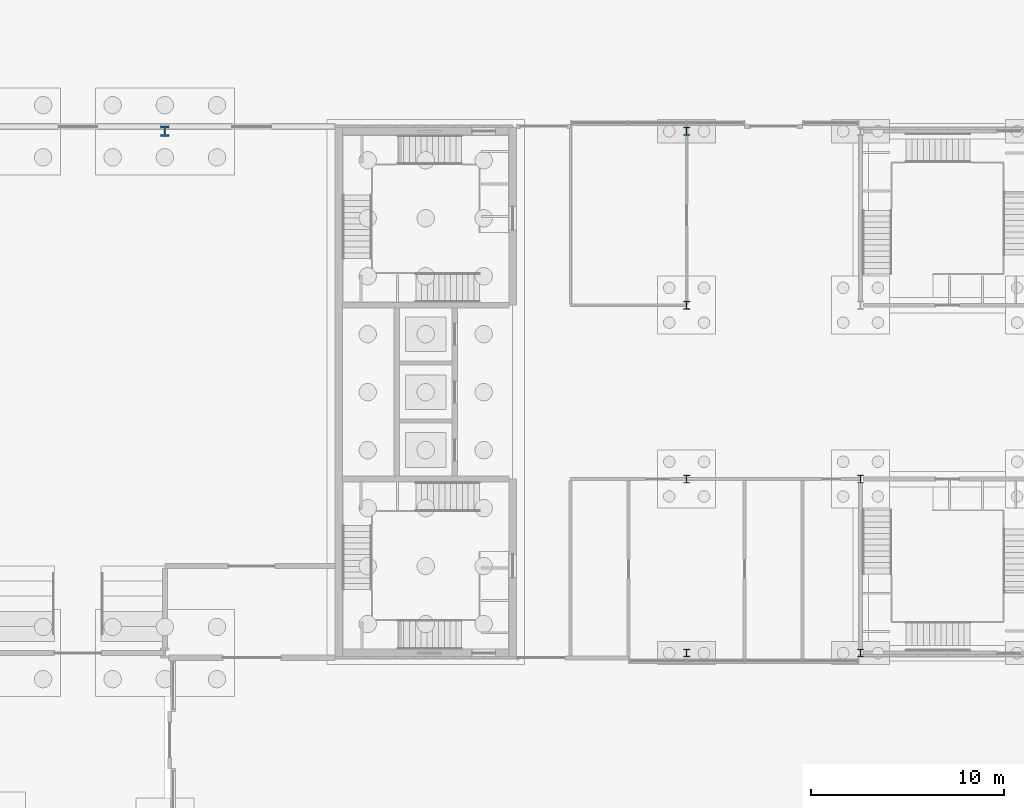
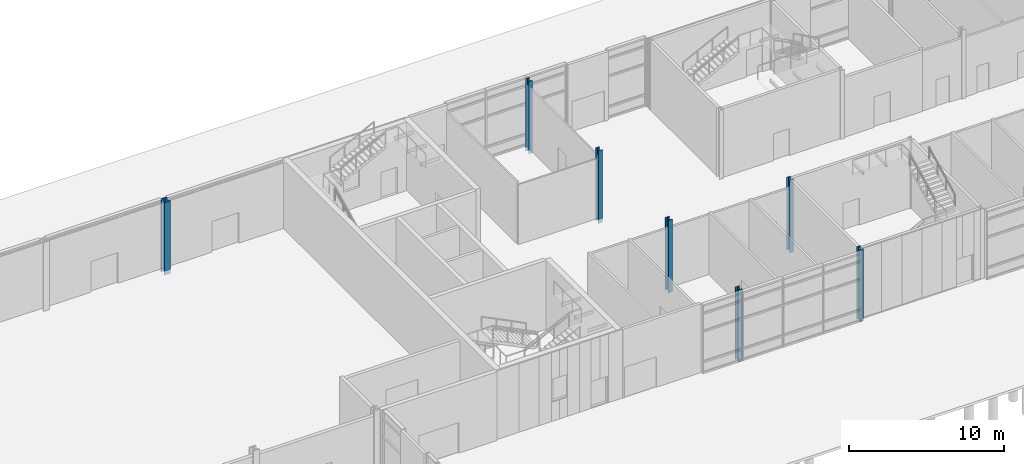
# One storey, part 9 of 45: 7 columns.
"""IFC4 building model written with IfcOpenShell, lengths in metres."""

import ifcopenshell
import ifcopenshell.guid

model = None  # the IFC model being written
_history = None  # IfcOwnerHistory: only IFC2X3 demands one
_inside = {}  # id of a spatial element -> (the spatial element, [elements in it])
_under = {}  # id of a project, library or spatial element -> (it, [spatial elements below it])
_declared = {}  # id of a project -> (the project, [libraries it declares])
_typed = {}  # id of a type object -> (the type object, [elements of that type])
_made_of = {}  # id of a material, layer set ... -> (it, [elements and type objects made of it])


def new_model(schema):
    """Start an empty IFC model of exactly this schema.

    Asked for "IFC4X3", IfcOpenShell would pick the latest addendum, in which some entities
    have other attributes; the version numbers below select the first issue.
    IFC2X3 requires an IfcOwnerHistory on every rooted entity: one is made here for all.
    """
    global model, _history
    if schema == "IFC4X3":
        model = ifcopenshell.file(schema_version=(4, 3, 0, 0))
    else:
        model = ifcopenshell.file(schema=schema)
    _inside.clear()
    _under.clear()
    _declared.clear()
    _typed.clear()
    _made_of.clear()
    _history = None
    if model.schema == "IFC2X3":
        org = make("IfcOrganization", Name="unknown")
        user = make(
            "IfcPersonAndOrganization",
            ThePerson=make("IfcPerson", FamilyName="unknown"),
            TheOrganization=org,
        )
        app = make(
            "IfcApplication",
            ApplicationDeveloper=org,
            Version="unknown",
            ApplicationFullName="unknown",
            ApplicationIdentifier="unknown",
        )
        _history = make(
            "IfcOwnerHistory",
            OwningUser=user,
            OwningApplication=app,
            ChangeAction="ADDED",
            CreationDate=0,
        )
    return model


def make(cls, **values):
    """One entity of the class cls with the attributes given. An attribute that is None is left unset."""
    return model.create_entity(
        cls, **{name: value for name, value in values.items() if value is not None}
    )


def rooted(cls, **values):
    """An entity with a GlobalId (a new one), such as an element, a storey or a relation."""
    return make(cls, GlobalId=ifcopenshell.guid.new(), OwnerHistory=_history, **values)


def si_unit(unit_type, name, prefix=None):
    """IfcSIUnit, for example si_unit("LENGTHUNIT", "METRE", prefix="MILLI")."""
    return make("IfcSIUnit", UnitType=unit_type, Prefix=prefix, Name=name)


def assignment(units):
    """IfcUnitAssignment: the units of a project."""
    return None if units is None else make("IfcUnitAssignment", Units=units)


def point(xyz):
    """IfcCartesianPoint."""
    return None if xyz is None else make("IfcCartesianPoint", Coordinates=xyz)


def direction(xyz):
    """IfcDirection."""
    return None if xyz is None else make("IfcDirection", DirectionRatios=xyz)


def frame(location, z_axis=None, x_axis=None):
    """IfcAxis2Placement3D, a coordinate frame: its origin and axes. An axis left out is left unset."""
    return make(
        "IfcAxis2Placement3D",
        Location=point(location),
        Axis=direction(z_axis),
        RefDirection=direction(x_axis),
    )


def frame_2d(location, x_axis=None):
    """IfcAxis2Placement2D, a coordinate frame in the plane: its origin and x axis."""
    return make(
        "IfcAxis2Placement2D", Location=point(location), RefDirection=direction(x_axis)
    )


def origin():
    """The frame at (0, 0, 0) with its axes left unset."""
    return frame((0.0, 0.0, 0.0))


def origin_2d():
    """The frame at (0, 0) in the plane with its x axis left unset."""
    return frame_2d((0.0, 0.0))


def place(relative_to, where):
    """IfcLocalPlacement: puts the frame where relative to a parent placement (None: the world)."""
    return make(
        "IfcLocalPlacement", PlacementRelTo=relative_to, RelativePlacement=where
    )


def context(
    kind, dimensions, precision=None, world=None, true_north=None, identifier=None
):
    """IfcGeometricRepresentationContext, for example the 3D "Model" context."""
    return make(
        "IfcGeometricRepresentationContext",
        ContextIdentifier=identifier,
        ContextType=kind,
        CoordinateSpaceDimension=dimensions,
        Precision=precision,
        WorldCoordinateSystem=world,
        TrueNorth=true_north,
    )


def subcontext(parent, identifier, kind, view, scale=None):
    """IfcGeometricRepresentationSubContext, for example "Body" below "Model"."""
    return make(
        "IfcGeometricRepresentationSubContext",
        ContextIdentifier=identifier,
        ContextType=kind,
        ParentContext=parent,
        TargetScale=scale,
        TargetView=view,
    )


def project(units=None, contexts=None):
    """IfcProject with its units and contexts."""
    return rooted(
        "IfcProject",
        Name="project",
        RepresentationContexts=contexts,
        UnitsInContext=assignment(units),
    )


def spatial(cls, under=None, at=None, **own):
    """A site, building, storey or space (cls), placed at a placement, below another one or the project."""
    s = rooted(cls, ObjectPlacement=at, **own)
    if under is not None:
        _under.setdefault(under.id(), (under, []))[1].append(s)
    return s


def profile(cls, at=None, kind="AREA", **sizes):
    """A parametric profile (cls). Its sizes go by their IFC names, for example OverallWidth=200.0."""
    return make(cls, ProfileType=kind, Position=at, **sizes)


def i_section(**sizes):
    """IfcIShapeProfileDef."""
    return profile("IfcIShapeProfileDef", **sizes)


def extrude(swept, where, along, depth):
    """IfcExtrudedAreaSolid: the profile swept, set in the frame where, extruded along a direction by depth."""
    return make(
        "IfcExtrudedAreaSolid",
        SweptArea=swept,
        Position=where,
        ExtrudedDirection=direction(along),
        Depth=depth,
    )


def shape(context_of_items, identifier, shape_type, items):
    """IfcShapeRepresentation: the items that make up one representation, for example the "Body"."""
    return make(
        "IfcShapeRepresentation",
        ContextOfItems=context_of_items,
        RepresentationIdentifier=identifier,
        RepresentationType=shape_type,
        Items=items,
    )


def material(Name=None, Category=None):
    """IfcMaterial."""
    return make("IfcMaterial", Name=Name, Category=Category)


def material_profile(
    of_material, cross_section, Name=None, Category=None, Priority=None
):
    """IfcMaterialProfile: a cross section and its material."""
    return make(
        "IfcMaterialProfile",
        Name=Name,
        Material=of_material,
        Profile=cross_section,
        Priority=Priority,
        Category=Category,
    )


def profile_set(profiles, Name=None, composite=None):
    """IfcMaterialProfileSet."""
    return make(
        "IfcMaterialProfileSet",
        Name=Name,
        MaterialProfiles=profiles,
        CompositeProfile=composite,
    )


def made_of(thing, what):
    """Note that an element or type object is made of a material, layer set ...; save() writes the relation."""
    if what is not None:
        _made_of.setdefault(what.id(), (what, []))[1].append(thing)
    return thing


def type_object(cls, material=None, **own):
    """A type object (cls), such as IfcWallType, which elements share."""
    return made_of(rooted(cls, **own), material)


def element(
    cls,
    number,
    at=None,
    inside=None,
    cuts=None,
    type_object=None,
    material=None,
    context=None,
    identifier="Body",
    shape_type=None,
    held_by="IfcProductDefinitionShape",
    body=None,
    shapes=None,
    **own,
):
    """One element of the class cls, such as IfcWall. Its Tag is "e" and its number.

    at: its placement. inside: the storey or other place that contains it. cuts: it is an
    opening in that element (IfcRelVoidsElement). A single representation is given by context,
    identifier, shape_type and body (its items); several are given by shapes. held_by: the class
    of the entity that holds the representations. save() writes the other relations.
    """
    e = rooted(cls, Tag="e%d" % number, ObjectPlacement=at, **own)
    if body is not None:
        shapes = [shape(context, identifier, shape_type, body)]
    if shapes is not None:
        e.Representation = make(held_by, Representations=shapes)
    if inside is not None:
        _inside.setdefault(inside.id(), (inside, []))[1].append(e)
    if cuts is not None:
        rooted(
            "IfcRelVoidsElement", RelatingBuildingElement=cuts, RelatedOpeningElement=e
        )
    if type_object is not None:
        _typed.setdefault(type_object.id(), (type_object, []))[1].append(e)
    return made_of(e, material)


def aggregate(whole, parts):
    """IfcRelAggregates: a whole, such as a stair, and the parts it consists of."""
    return rooted("IfcRelAggregates", RelatingObject=whole, RelatedObjects=parts)


def save(model, path):
    """Write the relations noted so far, then the file.

    IfcRelAggregates (storeys below a building ...), IfcRelContainedInSpatialStructure (elements
    in a storey), IfcRelDefinesByType, IfcRelAssociatesMaterial and IfcRelDeclares: one each for
    every whole, place, type object, material and project.
    """
    for whole, parts in _under.values():
        aggregate(whole, parts)
    for where, things in _inside.values():
        rooted(
            "IfcRelContainedInSpatialStructure",
            RelatedElements=things,
            RelatingStructure=where,
        )
    for kind, things in _typed.values():
        rooted("IfcRelDefinesByType", RelatedObjects=things, RelatingType=kind)
    for what, things in _made_of.values():
        rooted("IfcRelAssociatesMaterial", RelatedObjects=things, RelatingMaterial=what)
    for by, libraries in _declared.values():
        rooted("IfcRelDeclares", RelatingContext=by, RelatedDefinitions=libraries)
    model.write(path)


model = new_model("IFC4")

# Units and contexts
model_context = context("Model", 3, precision=1e-05, world=origin(), true_north=direction((0.0, 1.0)))
body_context = subcontext(model_context, "Body", "Model", "MODEL_VIEW")
ifc_project = project(units=[si_unit("LENGTHUNIT", "METRE"), si_unit("AREAUNIT", "SQUARE_METRE"), si_unit("VOLUMEUNIT", "CUBIC_METRE"), si_unit("PLANEANGLEUNIT", "RADIAN"), si_unit("MASSUNIT", "GRAM", prefix="KILO")], contexts=[model_context])

# Site, building, storey
site_placement = place(None, origin())
site = spatial("IfcSite", under=ifc_project, at=site_placement, CompositionType="ELEMENT")
building_placement = place(site_placement, origin())
building = spatial("IfcBuilding", under=site, at=building_placement, Name="Azimuth Sports and Learning Centre", CompositionType="ELEMENT")
storey_placement = place(building_placement, origin())
storey = spatial("IfcBuildingStorey", under=building, at=storey_placement, Name="L00", CompositionType="ELEMENT", Elevation=0.0)

# Columns
ifc_material_1 = material(Name="Steel S460", Category="steel")
ifc_material_profile_1 = material_profile(ifc_material_1, i_section(OverallWidth=0.44189453125, OverallDepth=0.531005859375, WebThickness=0.06591796875, FlangeThickness=0.10595703125, FilletRadius=0.014892578125, at=origin_2d()), Name="HD 400x900")
ifc_profile_set_1 = profile_set([ifc_material_profile_1], Name="Steel S460")
column_type_1 = type_object("IfcColumnType", Name="Column HD 400x900", PredefinedType="COLUMN", material=ifc_profile_set_1)
column_placement = place(storey_placement, frame((99.0, 117.0, -0.300048828125), z_axis=(0.0, 0.0, 1.0), x_axis=(1.0, 0.0, 0.0)))
element("IfcColumn", 1, at=column_placement, inside=storey, type_object=column_type_1, Name="Column 12P L00", PredefinedType="COLUMN", context=body_context, shape_type="SweptSolid", body=[
    extrude(i_section(OverallWidth=0.44189453125, OverallDepth=0.531005859375, WebThickness=0.06591796875, FlangeThickness=0.10595703125, FilletRadius=0.014892578125, at=origin_2d()), origin(), (0.0, 0.0, 1.0), 5.699951171875),
])
ifc_material_2 = material(Name="Steel S355", Category="steel")
ifc_material_profile_2 = material_profile(ifc_material_2, i_section(OverallWidth=0.300048828125, OverallDepth=0.39990234375, WebThickness=0.013427734375, FlangeThickness=0.02392578125, FilletRadius=0.027099609375, at=origin_2d()), Name="HEB 400")
ifc_profile_set_2 = profile_set([ifc_material_profile_2], Name="Steel S355")
column_type_2 = type_object("IfcColumnType", Name="Column HEB 400", PredefinedType="COLUMN", material=ifc_profile_set_2)
for number, where, z_axis, x_axis, name in (
    (2, (126.0, 90.0, -0.300048828125), (0.0, 0.0, 1.0), (1.0, 0.0, 0.0), "Column 15L L00"),
    (3, (135.0, 90.0, -0.300048828125), (0.0, 0.0, 1.0), (1.0, 0.0, 0.0), "Column 16L L00"),
    (4, (126.0, 99.0, -0.300048828125), (0.0, 0.0, 1.0), (1.0, 0.0, 0.0), "Column 15M L00"),
    (5, (135.0, 99.0, -0.300048828125), (0.0, 0.0, 1.0), (1.0, 0.0, 0.0), "Column 16M L00"),
    (6, (126.0, 108.0, -0.300048828125), (0.0, 0.0, 1.0), (1.0, 0.0, 0.0), "Column 15N L00"),
    (7, (126.0, 117.0, -0.300048828125), (0.0, 0.0, 1.0), (1.0, 0.0, 0.0), "Column 15P L00"),
):
    element("IfcColumn", number, at=place(storey_placement, frame(where, z_axis=z_axis, x_axis=x_axis)), inside=storey, type_object=column_type_2, Name=name, PredefinedType="COLUMN", context=body_context, shape_type="SweptSolid", body=[
        extrude(i_section(OverallWidth=0.300048828125, OverallDepth=0.39990234375, WebThickness=0.013427734375, FlangeThickness=0.02392578125, FilletRadius=0.027099609375, at=origin_2d()), origin(), (0.0, 0.0, 1.0), 5.699951171875),
    ])

save(model, "model.ifc")
